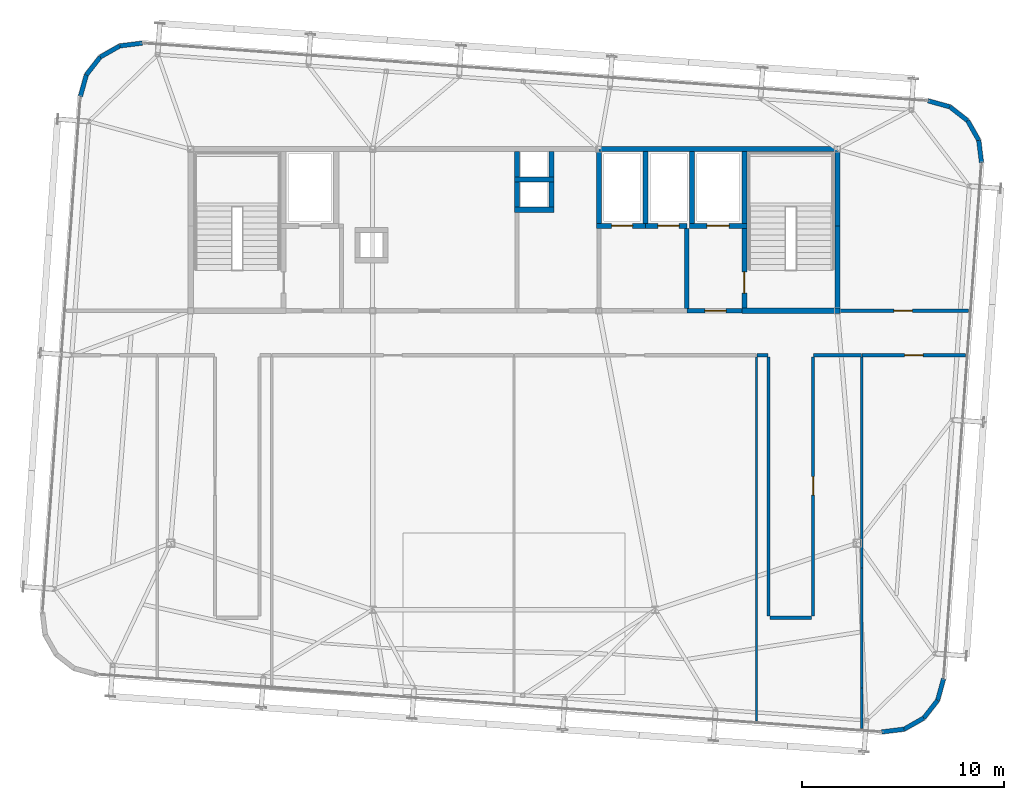
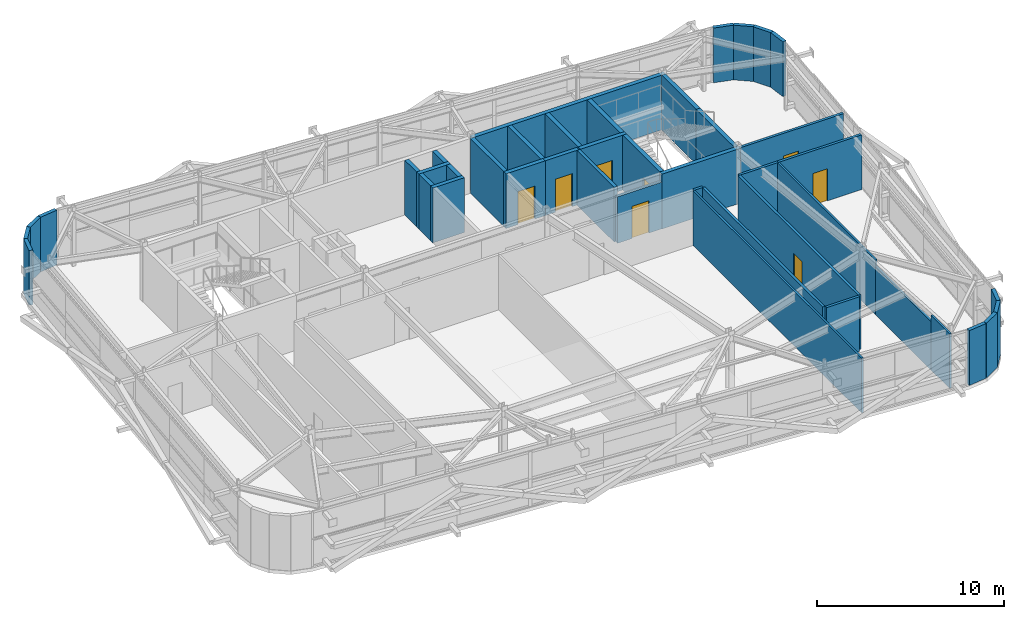
# One storey, part 32 of 35: 43 walls, 8 doors, 8 openings.
"""IFC4 building model written with IfcOpenShell, lengths in metres."""

from ifc_helpers import new_model, si_unit, direction, frame, frame_2d, origin, place, context, subcontext, project, spatial, rectangle, extrude, source, transform, mapped, material, layer, layer_set, type_object, element, fill, save


model = new_model("IFC4")

# Units and contexts
model_context = context("Model", 3, precision=1e-05, world=origin(), true_north=direction((0.0, 1.0)))
body_context = subcontext(model_context, "Body", "Model", "MODEL_VIEW")
ifc_project = project(units=[si_unit("LENGTHUNIT", "METRE"), si_unit("AREAUNIT", "SQUARE_METRE"), si_unit("VOLUMEUNIT", "CUBIC_METRE"), si_unit("PLANEANGLEUNIT", "RADIAN"), si_unit("MASSUNIT", "GRAM", prefix="KILO")], contexts=[model_context])

# Site, building, storey
site_placement = place(None, origin())
site = spatial("IfcSite", under=ifc_project, at=site_placement, CompositionType="ELEMENT")
building_placement = place(site_placement, origin())
building = spatial("IfcBuilding", under=site, at=building_placement, Name="Taldren Reach Tower", CompositionType="ELEMENT")
storey_placement = place(building_placement, frame((0.0, 0.0, 249.199951171875)))
storey = spatial("IfcBuildingStorey", under=building, at=storey_placement, Name="L76", CompositionType="ELEMENT", Elevation=249.199951171875)

# Walls
ifc_material_1 = material(Name="Pale Champagne Anodised Aluminium Cladding", Category="aluminium")
ifc_layer_1 = layer(ifc_material_1, 0.04, Name="Pale Champagne Anodised Aluminium Cladding", Category="aluminium")
ifc_material_2 = material(Name="Mineral Wool Acoustic Insulation", Category="insulation")
ifc_layer_2 = layer(ifc_material_2, 0.06, Name="Mineral Wool Acoustic Insulation", Category="insulation")
ifc_material_3 = material(Name="Steel Gr 350 (C350L0)", Category="steel")
ifc_layer_3 = layer(ifc_material_3, 0.12, Name="Steel Gr 350 (C350L0)", Category="steel")
ifc_layer_set_1 = layer_set([ifc_layer_1, ifc_layer_2, ifc_layer_3], Name="Pale Champagne Aluminium Cladding and Steel Gr 350 Stud Framing")
wall_type_1 = type_object("IfcWallType", Name="EW-CRN-220", PredefinedType="SOLIDWALL", material=ifc_layer_set_1)
shared_shape_1 = source(origin(), body_context, "Body", "SweptSolid", [
    extrude(rectangle(XDim=1.115966796875, YDim=0.219970703125, at=frame_2d((0.55810546875, 0.0))), origin(), (0.0, 0.0, 1.0), 3.570068359375),
])
for number, where, z_axis, x_axis, name in (
    (1, (53.20068359375, 3.15380859375, 0.0), (0.0, 0.0, 1.0), (0.992438604032, 0.122742076028, 0.0), "Rounded-corner pale-metal facade wall L76-SE1"),
    (2, (55.279052734375, 3.84130859375, 0.0), (0.0, 0.0, 1.0), (0.615015475096, 0.788515038152, 0.0), "Rounded-corner pale-metal facade wall L76-SE3"),
    (3, (55.96533203125, 4.72119140625, 0.0), (0.0, 0.0, 1.0), (0.26624444942, 0.963905541613, 0.0), "Rounded-corner pale-metal facade wall L76-SE4"),
    (4, (58.137451171875, 31.328125, 0.0), (0.0, 0.0, 1.0), (-0.122742076028, 0.992438604032, 0.0), "Rounded-corner pale-metal facade wall L76-NE1"),
    (5, (57.4501953125, 33.40625, 0.0), (0.0, 0.0, 1.0), (-0.788597772321, 0.614909386406, 0.0), "Rounded-corner pale-metal facade wall L76-NE3"),
    (6, (14.52099609375, 36.558837890625, 0.0), (0.0, 0.0, 1.0), (-0.614909386406, -0.788597772321, 0.0), "Rounded-corner pale-metal facade wall L76-NW3"),
):
    element("IfcWall", number, at=place(storey_placement, frame(where, z_axis=z_axis, x_axis=x_axis)), inside=storey, type_object=wall_type_1, Name=name, PredefinedType="SOLIDWALL", context=body_context, shape_type="MappedRepresentation", body=[
        mapped(shared_shape_1, transform((0.0, 0.0, 0.0), scale=1.0)),
    ])
shared_shape_2 = source(origin(), body_context, "Body", "SweptSolid", [
    extrude(rectangle(XDim=1.1162109375, YDim=0.219970703125, at=frame_2d((0.55810546875, 0.0))), origin(), (0.0, 0.0, 1.0), 3.570068359375),
])
for number, where, z_axis, x_axis, name in (
    (7, (54.30810546875, 3.290771484375, 0.0), (0.0, 0.0, 1.0), (0.869893934693, 0.49323882895, 0.0), "Rounded-corner pale-metal facade wall L76-SE2"),
    (8, (16.599365234375, 37.24609375, 0.0), (0.0, 0.0, 1.0), (-0.992441899189, -0.122715429897, 0.0), "Rounded-corner pale-metal facade wall L76-NW1"),
):
    element("IfcWall", number, at=place(storey_placement, frame(where, z_axis=z_axis, x_axis=x_axis)), inside=storey, type_object=wall_type_1, Name=name, PredefinedType="SOLIDWALL", context=body_context, shape_type="MappedRepresentation", body=[
        mapped(shared_shape_2, transform((0.0, 0.0, 0.0), scale=1.0)),
    ])
shared_shape_3 = source(origin(), body_context, "Body", "SweptSolid", [
    extrude(rectangle(XDim=1.11572265625, YDim=0.219970703125, at=frame_2d((0.557861328125, 0.0))), origin(), (0.0, 0.0, 1.0), 3.570068359375),
])
for number, where, z_axis, x_axis, name in (
    (9, (58.00048828125, 32.435546875, 0.0), (0.0, 0.0, 1.0), (-0.493167138628, 0.869934579941, 0.0), "Rounded-corner pale-metal facade wall L76-NE2"),
    (10, (56.570068359375, 34.092529296875, 0.0), (0.0, 0.0, 1.0), (-0.963833843713, 0.266503886865, 0.0), "Rounded-corner pale-metal facade wall L76-NE4"),
    (11, (15.49169921875, 37.109130859375, 0.0), (0.0, 0.0, 1.0), (-0.869934579941, -0.493167138628, 0.0), "Rounded-corner pale-metal facade wall L76-NW2"),
    (12, (13.834716796875, 35.6787109375, 0.0), (0.0, 0.0, 1.0), (-0.266300605026, -0.963890028874, 0.0), "Rounded-corner pale-metal facade wall L76-NW4"),
):
    element("IfcWall", number, at=place(storey_placement, frame(where, z_axis=z_axis, x_axis=x_axis)), inside=storey, type_object=wall_type_1, Name=name, PredefinedType="SOLIDWALL", context=body_context, shape_type="MappedRepresentation", body=[
        mapped(shared_shape_3, transform((0.0, 0.0, 0.0), scale=1.0)),
    ])
ifc_material_4 = material(Name="Concrete S65 (65 MPa)", Category="concrete")
ifc_layer_4 = layer(ifc_material_4, 0.25)
ifc_layer_set_2 = layer_set([ifc_layer_4], Name="Concrete S65 (65 MPa)")
wall_type_2 = type_object("IfcWallType", Name="IW-CORE-250", PredefinedType="SHEAR", material=ifc_layer_set_2)
shared_shape_4 = source(origin(), body_context, "Body", "SweptSolid", [
    extrude(rectangle(XDim=11.925048828125, YDim=0.25, at=frame_2d((5.96240234375, 0.0))), origin(), (0.0, 0.0, 1.0), 3.570068359375),
])
wall_1_placement = place(storey_placement, frame((39.199951171875, 32.0, 0.0), z_axis=(0.0, 0.0, 1.0), x_axis=(1.0, 0.0, 0.0)))
element("IfcWall", 13, at=wall_1_placement, inside=storey, type_object=wall_type_2, Name="Rear Core Shear Wall W-CORE-L76-NORTH3", PredefinedType="SHEAR", context=body_context, shape_type="MappedRepresentation", body=[
    mapped(shared_shape_4, transform((0.0, 0.0, 0.0), scale=1.0)),
])
shared_shape_5 = source(origin(), body_context, "Body", "SweptSolid", [
    extrude(rectangle(XDim=4.074951171875, YDim=0.25, at=frame_2d((2.03759765625, 0.0))), origin(), (0.0, 0.0, 1.0), 3.570068359375),
])
wall_2_placement = place(storey_placement, frame((51.0, 24.125, 0.0), z_axis=(0.0, 0.0, 1.0), x_axis=(0.0, 1.0, 0.0)))
element("IfcWall", 14, at=wall_2_placement, inside=storey, type_object=wall_type_2, Name="Rear Core Shear Wall W-CORE-L76-EAST1", PredefinedType="SHEAR", context=body_context, shape_type="MappedRepresentation", body=[
    mapped(shared_shape_5, transform((0.0, 0.0, 0.0), scale=1.0)),
])
shared_shape_6 = source(origin(), body_context, "Body", "SweptSolid", [
    extrude(rectangle(XDim=3.675048828125, YDim=0.25, at=frame_2d((1.83740234375, 0.0))), origin(), (0.0, 0.0, 1.0), 3.570068359375),
])
wall_3_placement = place(storey_placement, frame((51.0, 28.199951171875, 0.0), z_axis=(0.0, 0.0, 1.0), x_axis=(0.0, 1.0, 0.0)))
element("IfcWall", 15, at=wall_3_placement, inside=storey, type_object=wall_type_2, Name="Rear Core Shear Wall W-CORE-L76-EAST2", PredefinedType="SHEAR", context=body_context, shape_type="MappedRepresentation", body=[
    mapped(shared_shape_6, transform((0.0, 0.0, 0.0), scale=1.0)),
])
shared_shape_7 = source(origin(), body_context, "Body", "SweptSolid", [
    extrude(rectangle(XDim=3.550048828125, YDim=0.25, at=frame_2d((1.77490234375, 0.0))), origin(), (0.0, 0.0, 1.0), 3.570068359375),
])
for number, where, z_axis, x_axis, name in (
    (16, (46.39990234375, 31.875, 0.0), (0.0, 0.0, 1.0), (0.0, -1.0, 0.0), "Rear Core Shear Wall W-INT-L76-008"),
    (17, (43.800048828125, 31.875, 0.0), (0.0, 0.0, 1.0), (0.0, -1.0, 0.0), "Rear Core Shear Wall W-INT-L76-012"),
    (18, (41.5, 28.324951171875, 0.0), (0.0, 0.0, 1.0), (0.0, 1.0, 0.0), "Rear Core Shear Wall W-INT-L76-025"),
    (19, (39.199951171875, 31.875, 0.0), (0.0, 0.0, 1.0), (0.0, -1.0, 0.0), "Rear Core Shear Wall W-INT-L76-027"),
):
    element("IfcWall", number, at=place(storey_placement, frame(where, z_axis=z_axis, x_axis=x_axis)), inside=storey, type_object=wall_type_2, Name=name, PredefinedType="SHEAR", context=body_context, shape_type="MappedRepresentation", body=[
        mapped(shared_shape_7, transform((0.0, 0.0, 0.0), scale=1.0)),
    ])

# Wall, opening, door
shared_shape_8 = source(origin(), body_context, "Body", "SweptSolid", [
    extrude(rectangle(XDim=3.949951171875, YDim=0.25, at=frame_2d((1.97509765625, 0.0))), origin(), (0.0, 0.0, 1.0), 3.570068359375),
])
wall_4_placement = place(storey_placement, frame((46.39990234375, 28.074951171875, 0.0), z_axis=(0.0, 0.0, 1.0), x_axis=(0.0, -1.0, 0.0)))
wall_4 = element("IfcWall", 20, at=wall_4_placement, inside=storey, type_object=wall_type_2, Name="Rear Core Shear Wall W-INT-L76-009", PredefinedType="SHEAR", context=body_context, shape_type="MappedRepresentation", body=[
    mapped(shared_shape_8, transform((0.0, 0.0, 0.0), scale=1.0)),
])
shared_shape_9 = source(origin(), body_context, "Body", "SweptSolid", [
    extrude(rectangle(XDim=1.050048828125, YDim=2.10009765625, at=frame_2d((0.52490234375, 1.050048828125))), frame((0.0, 0.135009765625, 0.0), z_axis=(0.0, -1.0, 0.0), x_axis=(1.0, 0.0, 0.0)), (0.0, 0.0, 1.0), 0.27001953125),
])
opening_1_placement = place(wall_4_placement, frame((2.14990234375, 0.0, 0.0)))
opening_1 = element("IfcOpeningElement", 21, at=opening_1_placement, cuts=wall_4, Name="Opening DF-105", PredefinedType="OPENING", context=body_context, shape_type="MappedRepresentation", body=[
    mapped(shared_shape_9, transform((0.0, 0.0, 0.0), scale=1.0)),
])
ifc_material_5 = material(Name="Fire-Rated Care and Stair Exit Door")
door_type_1 = type_object("IfcDoorType", Name="ID-FIRE-105", OperationType="NOTDEFINED", PredefinedType="DOOR", material=ifc_material_5)
shared_shape_10 = source(origin(), body_context, "Body", "SweptSolid", [
    extrude(rectangle(XDim=1.050048828125, YDim=2.10009765625, at=frame_2d((0.52490234375, 1.050048828125))), frame((0.0, 0.02490234375, 0.0), z_axis=(0.0, -1.0, 0.0), x_axis=(1.0, 0.0, 0.0)), (0.0, 0.0, 1.0), 0.050048828125),
])
door_1_placement = place(opening_1_placement, origin())
door_1 = element("IfcDoor", 22, at=door_1_placement, inside=storey, type_object=door_type_1, Name="Fire Exit Stair Door DR-L76-003", OperationType="SINGLE_SWING_RIGHT", OverallHeight=2.10009765625, OverallWidth=1.050048828125, PredefinedType="DOOR", context=body_context, shape_type="MappedRepresentation", body=[
    mapped(shared_shape_10, transform((0.0, 0.0, 0.0), scale=1.0)),
])
fill(opening_1, door_1)

# Wall
shared_shape_11 = source(origin(), body_context, "Body", "SweptSolid", [
    extrude(rectangle(XDim=4.85009765625, YDim=0.25, at=frame_2d((2.425048828125, 0.0))), origin(), (0.0, 0.0, 1.0), 3.570068359375),
])
wall_5_placement = place(storey_placement, frame((46.27490234375, 24.0, 0.0), z_axis=(0.0, 0.0, 1.0), x_axis=(1.0, 0.0, 0.0)))
element("IfcWall", 23, at=wall_5_placement, inside=storey, type_object=wall_type_2, Name="Rear Core Shear Wall W-INT-L76-010", PredefinedType="SHEAR", context=body_context, shape_type="MappedRepresentation", body=[
    mapped(shared_shape_11, transform((0.0, 0.0, 0.0), scale=1.0)),
])

# Wall, opening, door
shared_shape_12 = source(origin(), body_context, "Body", "SweptSolid", [
    extrude(rectangle(XDim=2.849853515625, YDim=0.25, at=frame_2d((1.4248046875, 0.0))), origin(), (0.0, 0.0, 1.0), 3.570068359375),
])
wall_6_placement = place(storey_placement, frame((43.675048828125, 28.199951171875, 0.0), z_axis=(0.0, 0.0, 1.0), x_axis=(1.0, 0.0, 0.0)))
wall_6 = element("IfcWall", 24, at=wall_6_placement, inside=storey, type_object=wall_type_2, Name="Rear Core Shear Wall W-INT-L76-011", PredefinedType="SHEAR", context=body_context, shape_type="MappedRepresentation", body=[
    mapped(shared_shape_12, transform((0.0, 0.0, 0.0), scale=1.0)),
])
shared_shape_13 = source(origin(), body_context, "Body", "SweptSolid", [
    extrude(rectangle(XDim=1.10009765625, YDim=2.14990234375, at=frame_2d((0.550048828125, 1.074951171875))), frame((0.0, 0.135009765625, 0.0), z_axis=(0.0, -1.0, 0.0), x_axis=(1.0, 0.0, 0.0)), (0.0, 0.0, 1.0), 0.27001953125),
])
opening_2_placement = place(wall_6_placement, frame((0.875, 0.0, 0.0)))
opening_2 = element("IfcOpeningElement", 25, at=opening_2_placement, cuts=wall_6, Name="Opening LD-FL2", PredefinedType="OPENING", context=body_context, shape_type="MappedRepresentation", body=[
    mapped(shared_shape_13, transform((0.0, 0.0, 0.0), scale=1.0)),
])
ifc_material_6 = material(Name="Stainless Steel Gr 316 Emergency Lift Landing Door", Category="steel")
door_type_2 = type_object("IfcDoorType", Name="LD-EMG-110", OperationType="SLIDING_TO_LEFT", PredefinedType="DOOR", material=ifc_material_6)
shared_shape_14 = source(origin(), body_context, "Body", "SweptSolid", [
    extrude(rectangle(XDim=1.10009765625, YDim=2.14990234375, at=frame_2d((0.550048828125, 1.074951171875))), frame((0.0, 0.02490234375, 0.0), z_axis=(0.0, -1.0, 0.0), x_axis=(1.0, 0.0, 0.0)), (0.0, 0.0, 1.0), 0.050048828125),
])
door_2_placement = place(opening_2_placement, origin())
door_2 = element("IfcDoor", 26, at=door_2_placement, inside=storey, type_object=door_type_2, Name="Lift Landing Door LD-FL2-L76", OperationType="SLIDING_TO_LEFT", OverallHeight=2.14990234375, OverallWidth=1.10009765625, PredefinedType="DOOR", context=body_context, shape_type="MappedRepresentation", body=[
    mapped(shared_shape_14, transform((0.0, 0.0, 0.0), scale=1.0)),
])
fill(opening_2, door_2)

# Wall
ifc_material_7 = material(Name="Concrete S50 (50 MPa)", Category="concrete")
ifc_layer_5 = layer(ifc_material_7, 0.199951171875)
ifc_layer_set_3 = layer_set([ifc_layer_5], Name="Concrete S50 (50 MPa)")
wall_type_3 = type_object("IfcWallType", Name="IW-CORE-200", PredefinedType="SOLIDWALL", material=ifc_layer_set_3)
shared_shape_15 = source(origin(), body_context, "Body", "SweptSolid", [
    extrude(rectangle(XDim=3.974853515625, YDim=0.199951171875, at=frame_2d((1.9873046875, 0.0))), origin(), (0.0, 0.0, 1.0), 3.570068359375),
])
wall_7_placement = place(storey_placement, frame((43.550048828125, 28.074951171875, 0.0), z_axis=(0.0, 0.0, 1.0), x_axis=(0.0, -1.0, 0.0)))
element("IfcWall", 27, at=wall_7_placement, inside=storey, type_object=wall_type_3, Name="Rear Core Shear Wall W-INT-L76-013", PredefinedType="SOLIDWALL", context=body_context, shape_type="MappedRepresentation", body=[
    mapped(shared_shape_15, transform((0.0, 0.0, 0.0), scale=1.0)),
])

# Wall, opening, door
shared_shape_16 = source(origin(), body_context, "Body", "SweptSolid", [
    extrude(rectangle(XDim=2.724853515625, YDim=0.199951171875, at=frame_2d((1.3623046875, 0.0))), origin(), (0.0, 0.0, 1.0), 3.037109375),
])
wall_8_placement = place(storey_placement, frame((43.550048828125, 24.0, 0.0), z_axis=(0.0, 0.0, 1.0), x_axis=(1.0, 0.0, 0.0)))
wall_8 = element("IfcWall", 28, at=wall_8_placement, inside=storey, type_object=wall_type_3, Name="Rear Core Shear Wall W-INT-L76-014", PredefinedType="SOLIDWALL", context=body_context, shape_type="MappedRepresentation", body=[
    mapped(shared_shape_16, transform((0.0, 0.0, 0.0), scale=1.0)),
])
shared_shape_17 = source(origin(), body_context, "Body", "SweptSolid", [
    extrude(rectangle(XDim=1.050048828125, YDim=2.10009765625, at=frame_2d((0.52490234375, 1.050048828125))), frame((0.0, 0.10986328125, 0.0), z_axis=(0.0, -1.0, 0.0), x_axis=(1.0, 0.0, 0.0)), (0.0, 0.0, 1.0), 0.219970703125),
])
opening_3_placement = place(wall_8_placement, frame((0.89990234375, 0.0, 0.0)))
opening_3 = element("IfcOpeningElement", 29, at=opening_3_placement, cuts=wall_8, Name="Opening DF-105", PredefinedType="OPENING", context=body_context, shape_type="MappedRepresentation", body=[
    mapped(shared_shape_17, transform((0.0, 0.0, 0.0), scale=1.0)),
])
door_3_placement = place(opening_3_placement, origin())
door_3 = element("IfcDoor", 30, at=door_3_placement, inside=storey, type_object=door_type_1, Name="Interior Door DR-L76-004", OperationType="SINGLE_SWING_LEFT", OverallHeight=2.10009765625, OverallWidth=1.050048828125, PredefinedType="DOOR", context=body_context, shape_type="MappedRepresentation", body=[
    mapped(shared_shape_10, transform((0.0, 0.0, 0.0), scale=1.0)),
])
fill(opening_3, door_3)

# Walls
shared_shape_18 = source(origin(), body_context, "Body", "SweptSolid", [
    extrude(rectangle(XDim=1.9501953125, YDim=0.25, at=frame_2d((0.97509765625, 0.0))), origin(), (0.0, 0.0, 1.0), 3.570068359375),
])
for number, where, z_axis, x_axis, name in (
    (31, (35.02490234375, 30.5, 0.0), (0.0, 0.0, 1.0), (1.0, 0.0, 0.0), "Rear Core Shear Wall W-INT-L76-015"),
    (32, (35.02490234375, 29.0, 0.0), (0.0, 0.0, 1.0), (1.0, 0.0, 0.0), "Rear Core Shear Wall W-INT-L76-019"),
):
    element("IfcWall", number, at=place(storey_placement, frame(where, z_axis=z_axis, x_axis=x_axis)), inside=storey, type_object=wall_type_2, Name=name, PredefinedType="SHEAR", context=body_context, shape_type="MappedRepresentation", body=[
        mapped(shared_shape_18, transform((0.0, 0.0, 0.0), scale=1.0)),
    ])
shared_shape_19 = source(origin(), body_context, "Body", "SweptSolid", [
    extrude(rectangle(XDim=1.25, YDim=0.25, at=frame_2d((0.625, 0.0))), origin(), (0.0, 0.0, 1.0), 3.570068359375),
])
for number, where, z_axis, x_axis, name in (
    (33, (35.14990234375, 31.875, 0.0), (0.0, 0.0, 1.0), (0.0, -1.0, 0.0), "Rear Core Shear Wall W-INT-L76-016"),
    (34, (36.85009765625, 30.625, 0.0), (0.0, 0.0, 1.0), (0.0, 1.0, 0.0), "Rear Core Shear Wall W-INT-L76-017"),
    (35, (35.14990234375, 30.375, 0.0), (0.0, 0.0, 1.0), (0.0, -1.0, 0.0), "Rear Core Shear Wall W-INT-L76-018"),
    (36, (36.85009765625, 29.125, 0.0), (0.0, 0.0, 1.0), (0.0, 1.0, 0.0), "Rear Core Shear Wall W-INT-L76-020"),
):
    element("IfcWall", number, at=place(storey_placement, frame(where, z_axis=z_axis, x_axis=x_axis)), inside=storey, type_object=wall_type_2, Name=name, PredefinedType="SHEAR", context=body_context, shape_type="MappedRepresentation", body=[
        mapped(shared_shape_19, transform((0.0, 0.0, 0.0), scale=1.0)),
    ])

# Wall, opening, door
shared_shape_20 = source(origin(), body_context, "Body", "SweptSolid", [
    extrude(rectangle(XDim=2.425048828125, YDim=0.25, at=frame_2d((1.21240234375, 0.0))), origin(), (0.0, 0.0, 1.0), 3.570068359375),
])
wall_9_placement = place(storey_placement, frame((39.074951171875, 28.199951171875, 0.0), z_axis=(0.0, 0.0, 1.0), x_axis=(1.0, 0.0, 0.0)))
wall_9 = element("IfcWall", 37, at=wall_9_placement, inside=storey, type_object=wall_type_2, Name="Rear Core Shear Wall W-INT-L76-026", PredefinedType="SHEAR", context=body_context, shape_type="MappedRepresentation", body=[
    mapped(shared_shape_20, transform((0.0, 0.0, 0.0), scale=1.0)),
])
shared_shape_21 = source(origin(), body_context, "Body", "SweptSolid", [
    extrude(rectangle(XDim=1.050048828125, YDim=2.14990234375, at=frame_2d((0.52490234375, 1.074951171875))), frame((0.0, 0.135009765625, 0.0), z_axis=(0.0, -1.0, 0.0), x_axis=(1.0, 0.0, 0.0)), (0.0, 0.0, 1.0), 0.27001953125),
])
opening_4_placement = place(wall_9_placement, frame((0.75, 0.0, 0.0)))
opening_4 = element("IfcOpeningElement", 38, at=opening_4_placement, cuts=wall_9, Name="Opening LD-PH1", PredefinedType="OPENING", context=body_context, shape_type="MappedRepresentation", body=[
    mapped(shared_shape_21, transform((0.0, 0.0, 0.0), scale=1.0)),
])
ifc_material_8 = material(Name="Stainless Steel Gr 316 Passenger Lift Landing Door", Category="steel")
door_type_3 = type_object("IfcDoorType", Name="LD-PAS-105", OperationType="SLIDING_TO_LEFT", PredefinedType="DOOR", material=ifc_material_8)
shared_shape_22 = source(origin(), body_context, "Body", "SweptSolid", [
    extrude(rectangle(XDim=1.050048828125, YDim=2.14990234375, at=frame_2d((0.52490234375, 1.074951171875))), frame((0.0, 0.02490234375, 0.0), z_axis=(0.0, -1.0, 0.0), x_axis=(1.0, 0.0, 0.0)), (0.0, 0.0, 1.0), 0.050048828125),
])
door_4_placement = place(opening_4_placement, origin())
door_4 = element("IfcDoor", 39, at=door_4_placement, inside=storey, type_object=door_type_3, Name="Lift Landing Door LD-PH1-L76", OperationType="SLIDING_TO_LEFT", OverallHeight=2.14990234375, OverallWidth=1.050048828125, PredefinedType="DOOR", context=body_context, shape_type="MappedRepresentation", body=[
    mapped(shared_shape_22, transform((0.0, 0.0, 0.0), scale=1.0)),
])
fill(opening_4, door_4)

shared_shape_23 = source(origin(), body_context, "Body", "SweptSolid", [
    extrude(rectangle(XDim=2.070068359375, YDim=0.25, at=frame_2d((1.03515625, 0.0))), origin(), (0.0, 0.0, 1.0), 3.570068359375),
])
wall_10_placement = place(storey_placement, frame((41.5, 28.199951171875, 0.0), z_axis=(0.0, 0.0, 1.0), x_axis=(1.0, 0.0, 0.0)))
wall_10 = element("IfcWall", 40, at=wall_10_placement, inside=storey, type_object=wall_type_2, Name="Rear Core Shear Wall W-INT-L76-028", PredefinedType="SHEAR", context=body_context, shape_type="MappedRepresentation", body=[
    mapped(shared_shape_23, transform((0.0, 0.0, 0.0), scale=1.0)),
])
opening_5_placement = place(wall_10_placement, frame((0.625, 0.0, 0.0)))
opening_5 = element("IfcOpeningElement", 41, at=opening_5_placement, cuts=wall_10, Name="Opening LD-PH2", PredefinedType="OPENING", context=body_context, shape_type="MappedRepresentation", body=[
    mapped(shared_shape_21, transform((0.0, 0.0, 0.0), scale=1.0)),
])
door_5_placement = place(opening_5_placement, origin())
door_5 = element("IfcDoor", 42, at=door_5_placement, inside=storey, type_object=door_type_3, Name="Lift Landing Door LD-PH2-L76", OperationType="SLIDING_TO_LEFT", OverallHeight=2.14990234375, OverallWidth=1.050048828125, PredefinedType="DOOR", context=body_context, shape_type="MappedRepresentation", body=[
    mapped(shared_shape_22, transform((0.0, 0.0, 0.0), scale=1.0)),
])
fill(opening_5, door_5)

# Wall
ifc_material_9 = material(Name="Fire-Rated Acoustic Plasterboard Stud Wall", Category="gypsum")
ifc_layer_6 = layer(ifc_material_9, 0.159912109375)
ifc_layer_set_4 = layer_set([ifc_layer_6], Name="Fire-Rated Acoustic Plasterboard Stud Wall")
wall_type_4 = type_object("IfcWallType", Name="IW-FIRE-160", PredefinedType="PARTITIONING", material=ifc_layer_set_4)
shared_shape_24 = source(origin(), body_context, "Body", "SweptSolid", [
    extrude(rectangle(XDim=12.840087890625, YDim=0.159912109375, at=frame_2d((6.419921875, 0.0))), origin(), (0.0, 0.0, 1.0), 3.570068359375),
])
wall_11_placement = place(storey_placement, frame((47.60009765625, 8.8798828125, 0.0), z_axis=(0.0, 0.0, 1.0), x_axis=(0.0, 1.0, 0.0)))
element("IfcWall", 43, at=wall_11_placement, inside=storey, type_object=wall_type_4, Name="Interior Partition Wall W-INT-L76-042", PredefinedType="PARTITIONING", context=body_context, shape_type="MappedRepresentation", body=[
    mapped(shared_shape_24, transform((0.0, 0.0, 0.0), scale=1.0)),
])

# Wall, opening, door
wall_12_placement = place(storey_placement, frame((49.800048828125, 21.719970703125, 0.0), z_axis=(0.0, 0.0, 1.0), x_axis=(0.0, -1.0, 0.0)))
wall_12 = element("IfcWall", 44, at=wall_12_placement, inside=storey, type_object=wall_type_4, Name="Interior Partition Wall W-INT-L76-043", PredefinedType="PARTITIONING", context=body_context, shape_type="MappedRepresentation", body=[
    mapped(shared_shape_24, transform((0.0, 0.0, 0.0), scale=1.0)),
])
shared_shape_25 = source(origin(), body_context, "Body", "SweptSolid", [
    extrude(rectangle(XDim=0.919921875, YDim=2.10009765625, at=frame_2d((0.4599609375, 1.050048828125))), frame((0.0, 0.08984375, 0.0), z_axis=(0.0, -1.0, 0.0), x_axis=(1.0, 0.0, 0.0)), (0.0, 0.0, 1.0), 0.179931640625),
])
opening_6_placement = place(wall_12_placement, frame((5.93017578125, 0.0, 0.0)))
opening_6 = element("IfcOpeningElement", 45, at=opening_6_placement, cuts=wall_12, Name="Opening DI-092", PredefinedType="OPENING", context=body_context, shape_type="MappedRepresentation", body=[
    mapped(shared_shape_25, transform((0.0, 0.0, 0.0), scale=1.0)),
])
ifc_material_10 = material(Name="Solid-Core Timber Suite Door", Category="wood")
door_type_4 = type_object("IfcDoorType", Name="ID-INT-092", OperationType="NOTDEFINED", PredefinedType="DOOR", material=ifc_material_10)
shared_shape_26 = source(origin(), body_context, "Body", "SweptSolid", [
    extrude(rectangle(XDim=0.919921875, YDim=2.10009765625, at=frame_2d((0.4599609375, 1.050048828125))), frame((0.0, 0.02490234375, 0.0), z_axis=(0.0, -1.0, 0.0), x_axis=(1.0, 0.0, 0.0)), (0.0, 0.0, 1.0), 0.050048828125),
])
door_6_placement = place(opening_6_placement, origin())
door_6 = element("IfcDoor", 46, at=door_6_placement, inside=storey, type_object=door_type_4, Name="Interior Door DR-L76-012", OperationType="SINGLE_SWING_LEFT", OverallHeight=2.10009765625, OverallWidth=0.919921875, PredefinedType="DOOR", context=body_context, shape_type="MappedRepresentation", body=[
    mapped(shared_shape_26, transform((0.0, 0.0, 0.0), scale=1.0)),
])
fill(opening_6, door_6)

# Walls
shared_shape_27 = source(origin(), body_context, "Body", "SweptSolid", [
    extrude(rectangle(XDim=2.0400390625, YDim=0.159912109375, at=frame_2d((1.02001953125, 0.0))), origin(), (0.0, 0.0, 1.0), 3.570068359375),
])
wall_13_placement = place(storey_placement, frame((49.719970703125, 8.800048828125, 0.0), z_axis=(0.0, 0.0, 1.0), x_axis=(-1.0, 0.0, 0.0)))
element("IfcWall", 47, at=wall_13_placement, inside=storey, type_object=wall_type_4, Name="Interior Partition Wall W-INT-L76-045", PredefinedType="PARTITIONING", context=body_context, shape_type="MappedRepresentation", body=[
    mapped(shared_shape_27, transform((0.0, 0.0, 0.0), scale=1.0)),
])
shared_shape_28 = source(origin(), body_context, "Body", "SweptSolid", [
    extrude(rectangle(XDim=0.559326171875, YDim=0.159912109375, at=frame_2d((0.27978515625, 0.0))), origin(), (0.0, 0.0, 1.0), 3.570068359375),
])
wall_14_placement = place(storey_placement, frame((47.57958984375, 21.800048828125, 0.0), z_axis=(0.0, 0.0, 1.0), x_axis=(-1.0, 0.0, 0.0)))
element("IfcWall", 48, at=wall_14_placement, inside=storey, type_object=wall_type_4, Name="Interior Partition Wall W-INT-L76-046", PredefinedType="PARTITIONING", context=body_context, shape_type="MappedRepresentation", body=[
    mapped(shared_shape_28, transform((0.0, 0.0, 0.0), scale=1.0)),
])
shared_shape_29 = source(origin(), body_context, "Body", "SweptSolid", [
    extrude(rectangle(XDim=2.370361328125, YDim=0.159912109375, at=frame_2d((1.18505859375, 0.0))), origin(), (0.0, 0.0, 1.0), 3.570068359375),
])
wall_15_placement = place(storey_placement, frame((52.190673828125, 21.800048828125, 0.0), z_axis=(0.0, 0.0, 1.0), x_axis=(-1.0, 0.0, 0.0)))
element("IfcWall", 49, at=wall_15_placement, inside=storey, type_object=wall_type_4, Name="Interior Partition Wall W-INT-L76-044", PredefinedType="PARTITIONING", context=body_context, shape_type="MappedRepresentation", body=[
    mapped(shared_shape_29, transform((0.0, 0.0, 0.0), scale=1.0)),
])

# Wall, opening, door
shared_shape_30 = source(origin(), body_context, "Body", "SweptSolid", [
    extrude(rectangle(XDim=5.122314453125, YDim=0.159912109375, at=frame_2d((2.56103515625, 0.0))), origin(), (0.0, 0.0, 1.0), 3.570068359375),
])
wall_16_placement = place(storey_placement, frame((57.353271484375, 21.800048828125, 0.0), z_axis=(0.0, 0.0, 1.0), x_axis=(-1.0, 0.0, 0.0)))
wall_16 = element("IfcWall", 50, at=wall_16_placement, inside=storey, type_object=wall_type_4, Name="Interior Partition Wall W-INT-L76-047", PredefinedType="PARTITIONING", context=body_context, shape_type="MappedRepresentation", body=[
    mapped(shared_shape_30, transform((0.0, 0.0, 0.0), scale=1.0)),
])
opening_7_placement = place(wall_16_placement, frame((2.101318359375, 0.0, 0.0)))
opening_7 = element("IfcOpeningElement", 51, at=opening_7_placement, cuts=wall_16, Name="Opening DI-092", PredefinedType="OPENING", context=body_context, shape_type="MappedRepresentation", body=[
    mapped(shared_shape_25, transform((0.0, 0.0, 0.0), scale=1.0)),
])
door_7_placement = place(opening_7_placement, origin())
door_7 = element("IfcDoor", 52, at=door_7_placement, inside=storey, type_object=door_type_4, Name="Interior Door DR-L76-013", OperationType="SINGLE_SWING_RIGHT", OverallHeight=2.10009765625, OverallWidth=0.919921875, PredefinedType="DOOR", context=body_context, shape_type="MappedRepresentation", body=[
    mapped(shared_shape_26, transform((0.0, 0.0, 0.0), scale=1.0)),
])
fill(opening_7, door_7)

shared_shape_31 = source(origin(), body_context, "Body", "SweptSolid", [
    extrude(rectangle(XDim=6.378173828125, YDim=0.159912109375, at=frame_2d((3.18896484375, 0.0))), origin(), (0.0, 0.0, 1.0), 3.570068359375),
])
wall_17_placement = place(storey_placement, frame((51.125, 24.0, 0.0), z_axis=(0.0, 0.0, 1.0), x_axis=(1.0, 0.0, 0.0)))
wall_17 = element("IfcWall", 53, at=wall_17_placement, inside=storey, type_object=wall_type_4, Name="Interior Partition Wall W-INT-L76-048", PredefinedType="PARTITIONING", context=body_context, shape_type="MappedRepresentation", body=[
    mapped(shared_shape_31, transform((0.0, 0.0, 0.0), scale=1.0)),
])
opening_8_placement = place(wall_17_placement, frame((2.6767578125, 0.0, 0.0)))
opening_8 = element("IfcOpeningElement", 54, at=opening_8_placement, cuts=wall_17, Name="Opening DI-092", PredefinedType="OPENING", context=body_context, shape_type="MappedRepresentation", body=[
    mapped(shared_shape_25, transform((0.0, 0.0, 0.0), scale=1.0)),
])
door_8_placement = place(opening_8_placement, origin())
door_8 = element("IfcDoor", 55, at=door_8_placement, inside=storey, type_object=door_type_4, Name="Interior Door DR-L76-014", OperationType="SINGLE_SWING_LEFT", OverallHeight=2.10009765625, OverallWidth=0.919921875, PredefinedType="DOOR", context=body_context, shape_type="MappedRepresentation", body=[
    mapped(shared_shape_26, transform((0.0, 0.0, 0.0), scale=1.0)),
])
fill(opening_8, door_8)

# Walls
ifc_material_11 = material(Name="Insulated Residential Stud Partition", Category="gypsum")
ifc_layer_7 = layer(ifc_material_11, 0.1201171875)
ifc_layer_set_5 = layer_set([ifc_layer_7], Name="Insulated Residential Stud Partition")
wall_type_5 = type_object("IfcWallType", Name="IW-PART-120", PredefinedType="PARTITIONING", material=ifc_layer_set_5)
shared_shape_32 = source(origin(), body_context, "Body", "SweptSolid", [
    extrude(rectangle(XDim=18.0107421875, YDim=0.1201171875, at=frame_2d((9.00537109375, 0.0))), origin(), (0.0, 0.0, 1.0), 3.570068359375),
])
wall_18_placement = place(storey_placement, frame((47.0, 21.718017578125, 0.0), z_axis=(0.0, 0.0, 1.0), x_axis=(0.0, -1.0, 0.0)))
element("IfcWall", 56, at=wall_18_placement, inside=storey, type_object=wall_type_5, Name="Interior Partition Wall W-INT-L76-053", PredefinedType="PARTITIONING", context=body_context, shape_type="MappedRepresentation", body=[
    mapped(shared_shape_32, transform((0.0, 0.0, 0.0), scale=1.0)),
])
shared_shape_33 = source(origin(), body_context, "Body", "SweptSolid", [
    extrude(rectangle(XDim=10.4501953125, YDim=0.1201171875, at=frame_2d((5.22509765625, 0.0))), origin(), (0.0, 0.0, 1.0), 3.570068359375),
])
wall_19_placement = place(storey_placement, frame((52.210693359375, 21.719970703125, 0.0), z_axis=(0.0, 0.0, 1.0), x_axis=(0.0, -1.0, 0.0)))
element("IfcWall", 57, at=wall_19_placement, inside=storey, type_object=wall_type_5, Name="Interior Partition Wall W-INT-L76-054", PredefinedType="PARTITIONING", context=body_context, shape_type="MappedRepresentation", body=[
    mapped(shared_shape_33, transform((0.0, 0.0, 0.0), scale=1.0)),
])
shared_shape_34 = source(origin(), body_context, "Body", "SweptSolid", [
    extrude(rectangle(XDim=5.947021484375, YDim=0.1201171875, at=frame_2d((2.9736328125, 0.0))), origin(), (0.0, 0.0, 1.0), 3.1640625),
])
wall_20_placement = place(storey_placement, frame((52.210693359375, 11.269775390625, 0.0), z_axis=(0.0, 0.0, 1.0), x_axis=(0.0, -1.0, 0.0)))
element("IfcWall", 58, at=wall_20_placement, inside=storey, type_object=wall_type_5, Name="Interior Partition Wall W-INT-L76-054 part 2", PredefinedType="PARTITIONING", context=body_context, shape_type="MappedRepresentation", body=[
    mapped(shared_shape_34, transform((0.0, 0.0, 0.0), scale=1.0)),
])
shared_shape_35 = source(origin(), body_context, "Body", "SweptSolid", [
    extrude(rectangle(XDim=2.0, YDim=0.1201171875, at=frame_2d((1.0, 0.0))), origin(), (0.0, 0.0, 1.0), 3.570068359375),
])
wall_21_placement = place(storey_placement, frame((52.210693359375, 5.32275390625, 0.0), z_axis=(0.0, 0.0, 1.0), x_axis=(0.0, -1.0, 0.0)))
element("IfcWall", 59, at=wall_21_placement, inside=storey, type_object=wall_type_5, Name="Interior Partition Wall W-INT-L76-054 part 3", PredefinedType="PARTITIONING", context=body_context, shape_type="MappedRepresentation", body=[
    mapped(shared_shape_35, transform((0.0, 0.0, 0.0), scale=1.0)),
])

save(model, "model.ifc")
